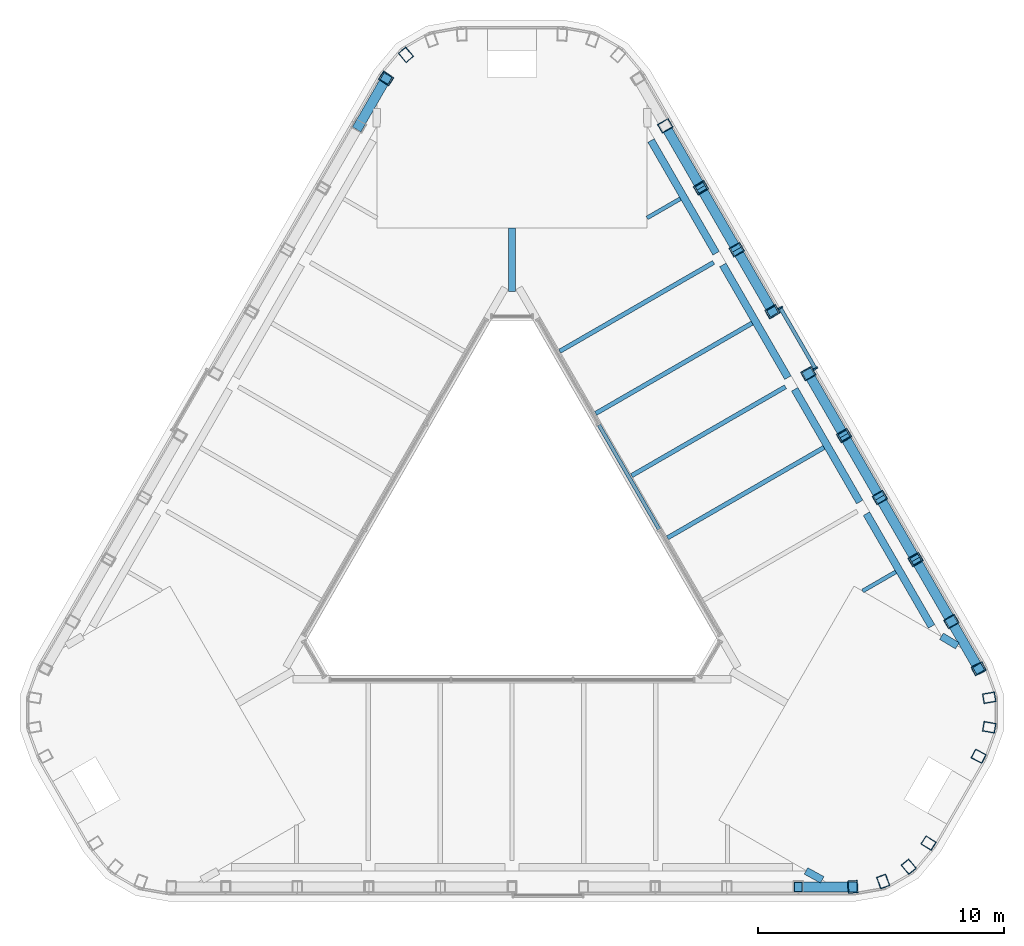
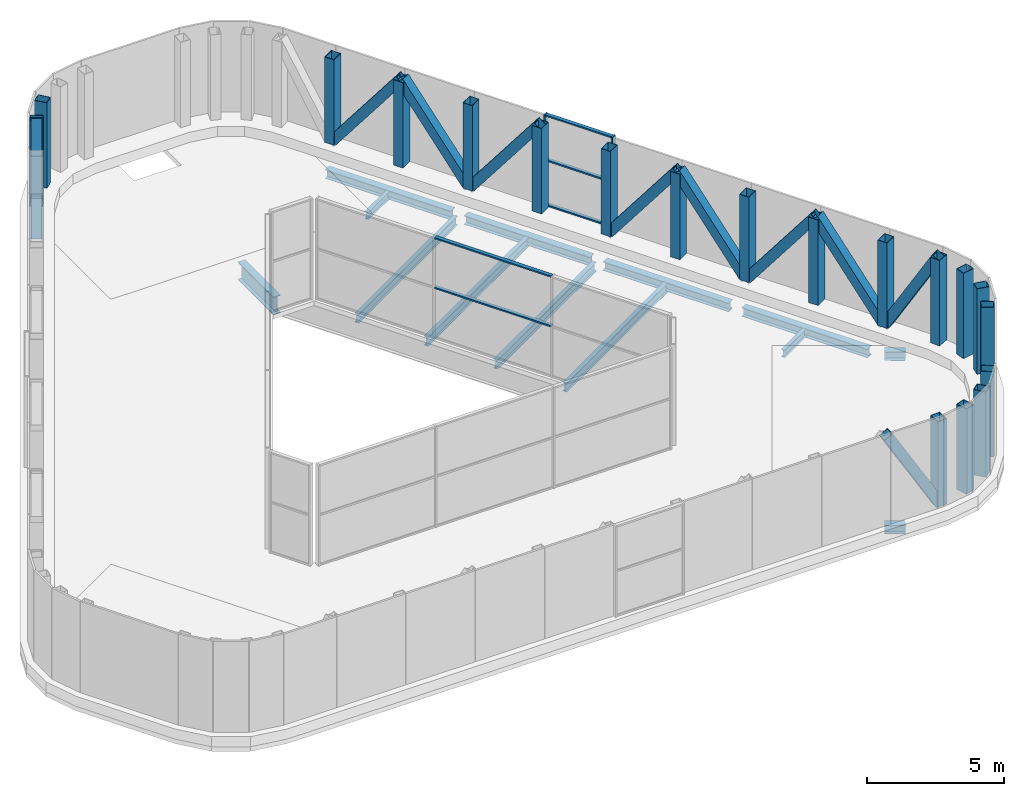
# One storey, part 3 of 5: 36 members, 13 beams, 2 elements without a shape of their own.
"""IFC4 building model written with IfcOpenShell, lengths in metres."""

from ifc_helpers import new_model, si_unit, direction, frame, origin, origin_2d, place, context, subcontext, project, spatial, rectangle, hollow_rectangle, i_section, extrude, material, layer, layer_set, material_profile, profile_set, type_object, element, aggregate, save


model = new_model("IFC4")

# Units and contexts
model_context = context("Model", 3, precision=1e-05, world=origin(), true_north=direction((0.0, 1.0)))
body_context = subcontext(model_context, "Body", "Model", "MODEL_VIEW")
ifc_project = project(units=[si_unit("LENGTHUNIT", "METRE"), si_unit("AREAUNIT", "SQUARE_METRE"), si_unit("VOLUMEUNIT", "CUBIC_METRE"), si_unit("PLANEANGLEUNIT", "RADIAN"), si_unit("MASSUNIT", "GRAM", prefix="KILO")], contexts=[model_context])

# Site, building, storey
site_placement = place(None, origin())
site = spatial("IfcSite", under=ifc_project, at=site_placement, CompositionType="ELEMENT")
building_placement = place(site_placement, origin())
building = spatial("IfcBuilding", under=site, at=building_placement, Name="Apuvela Tower Hotel", CompositionType="ELEMENT")
storey_placement = place(building_placement, frame((0.0, 0.0, 348.800048828125)))
storey = spatial("IfcBuildingStorey", under=building, at=storey_placement, Name="R-2 ROOF", CompositionType="ELEMENT", Elevation=348.800048828125)

# Members
ifc_material_1 = material(Name="Steel S355, black paint system", Category="steel")
ifc_material_profile_1 = material_profile(ifc_material_1, hollow_rectangle(XDim=0.39990234375, YDim=0.39990234375, WallThickness=0.01611328125, at=origin_2d()), Name="HSS 400x400x16")
ifc_profile_set_1 = profile_set([ifc_material_profile_1], Name="Steel S355, black paint system")
member_type_1 = type_object("IfcMemberType", Name="ENV-CROWN-BRACE-400x400", PredefinedType="BRACE", material=ifc_profile_set_1)
for number, where, z_axis, x_axis, name in (
    (1, (-6.236572265625, 17.050537109375, 0.449951171875), (0.252533890551, 0.437303965939, 0.863129118671), (-0.865977099567, 0.500083656027, 0.0), "Crown frame brace 7"),
    (2, (13.87109375, -13.92626953125, 0.449951171875), (-0.504963610752, 0.0, 0.863140632699), (0.0, -1.0, 0.0), "Crown frame brace 33"),
    (3, (17.884521484375, -3.124267578125, 0.449951171875), (0.252475849693, -0.437354936642, 0.863120272452), (0.866052104262, 0.499953750565, 0.0), "Crown frame brace 41"),
):
    element("IfcMember", number, at=place(storey_placement, frame(where, z_axis=z_axis, x_axis=x_axis)), inside=storey, type_object=member_type_1, Name=name, PredefinedType="BRACE", context=body_context, shape_type="SweptSolid", body=[
        extrude(hollow_rectangle(XDim=0.39990234375, YDim=0.39990234375, WallThickness=0.01611328125, at=origin_2d()), origin(), (0.0, 0.0, 1.0), 4.402587890625),
    ])
member_1_placement = place(storey_placement, frame((17.884521484375, -3.124267578125, 0.449951171875), z_axis=(-0.304132395896, 0.526775259827, 0.7937325188), x_axis=(-0.866026430432, -0.49999822179, 0.0)))
element("IfcMember", 4, at=member_1_placement, inside=storey, type_object=member_type_1, Name="Crown frame brace 42", PredefinedType="BRACE", context=body_context, shape_type="SweptSolid", body=[
    extrude(hollow_rectangle(XDim=0.39990234375, YDim=0.39990234375, WallThickness=0.01611328125, at=origin_2d()), origin(), (0.0, 0.0, 1.0), 4.78759765625),
])
for number, where, z_axis, x_axis, name in (
    (5, (14.972412109375, 1.91943359375, 0.449951171875), (0.304140565661, -0.526738414272, 0.793753840463), (0.866005469285, 0.500034525977, 0.0), "Crown frame brace 43"),
    (6, (14.972412109375, 1.91943359375, 0.449951171875), (-0.304140565661, 0.526738414272, 0.793753840463), (-0.866005469285, -0.500034525977, 0.0), "Crown frame brace 44"),
):
    element("IfcMember", number, at=place(storey_placement, frame(where, z_axis=z_axis, x_axis=x_axis)), inside=storey, type_object=member_type_1, Name=name, PredefinedType="BRACE", context=body_context, shape_type="SweptSolid", body=[
        extrude(hollow_rectangle(XDim=0.39990234375, YDim=0.39990234375, WallThickness=0.01611328125, at=origin_2d()), origin(), (0.0, 0.0, 1.0), 4.787353515625),
    ])
member_2_placement = place(storey_placement, frame((12.060302734375, 6.963134765625, 0.449951171875), z_axis=(0.304132395896, -0.526775259827, 0.7937325188), x_axis=(0.866026430432, 0.49999822179, 0.0)))
element("IfcMember", 7, at=member_2_placement, inside=storey, type_object=member_type_1, Name="Crown frame brace 45", PredefinedType="BRACE", context=body_context, shape_type="SweptSolid", body=[
    extrude(hollow_rectangle(XDim=0.39990234375, YDim=0.39990234375, WallThickness=0.01611328125, at=origin_2d()), origin(), (0.0, 0.0, 1.0), 4.78759765625),
])
for number, where, z_axis, x_axis, name in (
    (8, (9.1484375, 12.0068359375, 0.449951171875), (0.304140565661, -0.526738414272, 0.793753840463), (0.866005469285, 0.500034525977, 0.0), "Crown frame brace 47"),
    (9, (9.1484375, 12.0068359375, 0.449951171875), (-0.304140565661, 0.526738414272, 0.793753840463), (-0.866005469285, -0.500034525977, 0.0), "Crown frame brace 48"),
):
    element("IfcMember", number, at=place(storey_placement, frame(where, z_axis=z_axis, x_axis=x_axis)), inside=storey, type_object=member_type_1, Name=name, PredefinedType="BRACE", context=body_context, shape_type="SweptSolid", body=[
        extrude(hollow_rectangle(XDim=0.39990234375, YDim=0.39990234375, WallThickness=0.01611328125, at=origin_2d()), origin(), (0.0, 0.0, 1.0), 4.787353515625),
    ])
member_3_placement = place(storey_placement, frame((6.236572265625, 17.050537109375, 0.449951171875), z_axis=(0.304086116951, -0.526783429164, 0.793744828164), x_axis=(0.866062731661, 0.499935340648, 0.0)))
element("IfcMember", 10, at=member_3_placement, inside=storey, type_object=member_type_1, Name="Crown frame brace 49", PredefinedType="BRACE", context=body_context, shape_type="SweptSolid", body=[
    extrude(hollow_rectangle(XDim=0.39990234375, YDim=0.39990234375, WallThickness=0.01611328125, at=origin_2d()), origin(), (0.0, 0.0, 1.0), 4.78759765625),
])
ifc_material_profile_2 = material_profile(ifc_material_1, hollow_rectangle(XDim=0.39990234375, YDim=0.5, WallThickness=0.02001953125, at=origin_2d()), Name="HSS 500x400x20")
ifc_profile_set_2 = profile_set([ifc_material_profile_2], Name="Steel S355, black paint system")
member_type_2 = type_object("IfcMemberType", Name="ENV-CROWN-POST-500x400", PredefinedType="POST", material=ifc_profile_set_2)
for number, where, z_axis, x_axis, name in (
    (11, (-4.318115234375, 19.9375, 0.449951171875), (0.0, 0.0, 1.0), (-0.763579690807, -0.645713601984, 0.0), "Crown frame post 6"),
    (12, (-5.124755859375, 18.975830078125, 0.449951171875), (0.0, 0.0, 1.0), (-0.553467140498, -0.832871013056, 0.0), "Crown frame post 7"),
    (13, (13.87109375, -13.92626953125, 0.449951171875), (0.0, 0.0, 1.0), (0.998021025631, 0.062881097303, 0.0), "Crown frame post 34"),
    (14, (15.107421875, -13.708251953125, 0.449951171875), (0.0, 0.0, 1.0), (0.940994228291, 0.33842260906, 0.0), "Crown frame post 35"),
    (15, (16.148193359375, -13.107421875, 0.449951171875), (0.0, 0.0, 1.0), (0.763579690807, 0.645713601984, 0.0), "Crown frame post 36"),
    (16, (16.955078125, -12.145751953125, 0.449951171875), (0.0, 0.0, 1.0), (0.535045541825, 0.844823217113, 0.0), "Crown frame post 37"),
    (17, (18.99609375, -8.610595703125, 0.449951171875), (0.0, 0.0, 1.0), (0.464115596815, 0.885774639958, 0.0), "Crown frame post 38"),
    (18, (19.42529296875, -7.43115234375, 0.449951171875), (0.0, 0.0, 1.0), (0.177414537484, 0.984136211045, 0.0), "Crown frame post 39"),
    (19, (19.42529296875, -6.229248046875, 0.449951171875), (0.0, 0.0, 1.0), (-0.177414537484, 0.984136211045, 0.0), "Crown frame post 40"),
    (20, (18.99609375, -5.0498046875, 0.449951171875), (0.0, 0.0, 1.0), (-0.444553885133, 0.895752110359, 0.0), "Crown frame post 41"),
    (21, (17.884521484375, -3.124267578125, 0.449951171875), (0.0, 0.0, 1.0), (-0.5, 0.866025403784, 0.0), "Crown frame post 42"),
    (22, (16.428466796875, -0.602294921875, 0.449951171875), (0.0, 0.0, 1.0), (-0.5, 0.866025403784, 0.0), "Crown frame post 43"),
    (23, (14.972412109375, 1.91943359375, 0.449951171875), (0.0, 0.0, 1.0), (-0.5, 0.866025403784, 0.0), "Crown frame post 44"),
    (24, (13.516357421875, 4.441162109375, 0.449951171875), (0.0, 0.0, 1.0), (-0.5, 0.866025403784, 0.0), "Crown frame post 45"),
    (25, (12.060302734375, 6.963134765625, 0.449951171875), (0.0, 0.0, 1.0), (-0.5, 0.866025403784, 0.0), "Crown frame post 46"),
    (26, (10.6044921875, 9.485107421875, 0.449951171875), (0.0, 0.0, 1.0), (-0.5, 0.866025403784, 0.0), "Crown frame post 47"),
    (27, (9.1484375, 12.0068359375, 0.449951171875), (0.0, 0.0, 1.0), (-0.5, 0.866025403784, 0.0), "Crown frame post 48"),
    (28, (7.6923828125, 14.528564453125, 0.449951171875), (0.0, 0.0, 1.0), (-0.5, 0.866025403784, 0.0), "Crown frame post 49"),
    (29, (6.236572265625, 17.050537109375, 0.449951171875), (0.0, 0.0, 1.0), (-0.5, 0.866025403784, 0.0), "Crown frame post 50"),
):
    element("IfcMember", number, at=place(storey_placement, frame(where, z_axis=z_axis, x_axis=x_axis)), inside=storey, type_object=member_type_2, Name=name, PredefinedType="POST", context=body_context, shape_type="SweptSolid", body=[
        extrude(hollow_rectangle(XDim=0.39990234375, YDim=0.5, WallThickness=0.02001953125, at=origin_2d()), origin(), (0.0, 0.0, 1.0), 3.800048828125),
    ])

# Curtain wall, members
ifc_material_2 = material(Name="Aluminium 6063-T6, dark bronze anodised", Category="aluminium")
ifc_layer_1 = layer(ifc_material_2, 0.199951171875)
ifc_layer_set_1 = layer_set([ifc_layer_1], Name="ENV-CW-C")
curtain_wall_type_1 = type_object("IfcCurtainWallType", Name="ENV-CW-C", PredefinedType="NOTDEFINED", material=ifc_layer_set_1)
curtain_wall_1_placement = place(storey_placement, origin())
curtain_wall_1 = element("IfcCurtainWall", 30, at=curtain_wall_1_placement, inside=storey, type_object=curtain_wall_type_1, Name="Crown glazing 46 R-2 ROOF", PredefinedType="NOTDEFINED")
ifc_material_profile_3 = material_profile(ifc_material_2, rectangle(XDim=0.199951171875, YDim=0.06494140625, at=origin_2d()), Name="AL 65x200")
ifc_profile_set_3 = profile_set([ifc_material_profile_3], Name="Aluminium 6063-T6, dark bronze anodised")
member_type_3 = type_object("IfcMemberType", Name="ENV-MULLION-65x200", PredefinedType="MULLION", material=ifc_profile_set_3)
member_4_placement = place(storey_placement, frame((12.347412109375, 7.166259765625, 0.449951171875), z_axis=(0.0, 0.0, 1.0), x_axis=(-0.866021760657, -0.500006310028, 0.0)))
member_4 = element("IfcMember", 31, at=member_4_placement, type_object=member_type_3, Name="CW-C mullion 1", PredefinedType="MULLION", context=body_context, shape_type="SweptSolid", body=[
    extrude(rectangle(XDim=0.199951171875, YDim=0.06494140625, at=origin_2d()), origin(), (0.0, 0.0, 1.0), 4.050048828125),
])
member_5_placement = place(storey_placement, frame((10.921142578125, 9.636474609375, 0.449951171875), z_axis=(0.0, 0.0, 1.0), x_axis=(-0.866021760657, -0.500006310028, 0.0)))
member_5 = element("IfcMember", 32, at=member_5_placement, type_object=member_type_3, Name="CW-C mullion 2", PredefinedType="MULLION", context=body_context, shape_type="SweptSolid", body=[
    extrude(rectangle(XDim=0.199951171875, YDim=0.06494140625, at=origin_2d()), origin(), (0.0, 0.0, 1.0), 4.050048828125),
])
ifc_material_profile_4 = material_profile(ifc_material_2, rectangle(XDim=0.14990234375, YDim=0.06494140625, at=origin_2d()), Name="AL 65x150 transom")
ifc_profile_set_4 = profile_set([ifc_material_profile_4], Name="Aluminium 6063-T6, dark bronze anodised")
member_type_4 = type_object("IfcMemberType", Name="ENV-TRANSOM-65x150", PredefinedType="USERDEFINED", material=ifc_profile_set_4)
member_6_placement = place(storey_placement, frame((12.3310546875, 7.1943359375, 0.482421875), z_axis=(-0.499944854726, 0.866057239582, 0.0), x_axis=(-0.866057239582, -0.499944854726, 0.0)))
member_6 = element("IfcMember", 33, at=member_6_placement, type_object=member_type_4, Name="CW-C transom 1.1", ObjectType="TRANSOM", PredefinedType="USERDEFINED", context=body_context, shape_type="SweptSolid", body=[
    extrude(rectangle(XDim=0.14990234375, YDim=0.06494140625, at=origin_2d()), origin(), (0.0, 0.0, 1.0), 2.787353515625),
])
member_7_placement = place(storey_placement, frame((12.3310546875, 7.1943359375, 2.474853515625), z_axis=(-0.499944854726, 0.866057239582, 0.0), x_axis=(-0.866057239582, -0.499944854726, 0.0)))
member_7 = element("IfcMember", 34, at=member_7_placement, type_object=member_type_4, Name="CW-C transom 1.2", ObjectType="TRANSOM", PredefinedType="USERDEFINED", context=body_context, shape_type="SweptSolid", body=[
    extrude(rectangle(XDim=0.14990234375, YDim=0.06494140625, at=origin_2d()), origin(), (0.0, 0.0, 1.0), 2.787353515625),
])
member_8_placement = place(storey_placement, frame((12.3310546875, 7.1943359375, 4.467529296875), z_axis=(-0.499944854726, 0.866057239582, 0.0), x_axis=(-0.866057239582, -0.499944854726, 0.0)))
member_8 = element("IfcMember", 35, at=member_8_placement, type_object=member_type_4, Name="CW-C transom 1.3", ObjectType="TRANSOM", PredefinedType="USERDEFINED", context=body_context, shape_type="SweptSolid", body=[
    extrude(rectangle(XDim=0.14990234375, YDim=0.06494140625, at=origin_2d()), origin(), (0.0, 0.0, 1.0), 2.787353515625),
])
aggregate(curtain_wall_1, [member_4, member_5, member_6, member_7, member_8])

ifc_layer_2 = layer(ifc_material_2, 0.199951171875)
ifc_layer_set_2 = layer_set([ifc_layer_2], Name="ENV-CW-A")
curtain_wall_type_2 = type_object("IfcCurtainWallType", Name="ENV-CW-A", PredefinedType="NOTDEFINED", material=ifc_layer_set_2)
curtain_wall_2_placement = place(storey_placement, origin())
curtain_wall_2 = element("IfcCurtainWall", 36, at=curtain_wall_2_placement, inside=storey, type_object=curtain_wall_type_2, Name="Atrium glazing 6 R-2 ROOF", PredefinedType="NOTDEFINED")
member_9_placement = place(storey_placement, frame((5.988037109375, 0.628173828125, 2.25), z_axis=(-0.49998122708, 0.866036242063, 0.0), x_axis=(-0.866036242063, -0.49998122708, 0.0)))
member_9 = element("IfcMember", 37, at=member_9_placement, type_object=member_type_4, Name="CW-A transom 2.2", ObjectType="TRANSOM", PredefinedType="USERDEFINED", context=body_context, shape_type="SweptSolid", body=[
    extrude(rectangle(XDim=0.14990234375, YDim=0.06494140625, at=origin_2d()), origin(), (0.0, 0.0, 1.0), 4.900146484375),
])
member_10_placement = place(storey_placement, frame((5.988037109375, 0.628173828125, 4.467529296875), z_axis=(-0.49998122708, 0.866036242063, 0.0), x_axis=(-0.866036242063, -0.49998122708, 0.0)))
member_10 = element("IfcMember", 38, at=member_10_placement, type_object=member_type_4, Name="CW-A transom 2.3", ObjectType="TRANSOM", PredefinedType="USERDEFINED", context=body_context, shape_type="SweptSolid", body=[
    extrude(rectangle(XDim=0.14990234375, YDim=0.06494140625, at=origin_2d()), origin(), (0.0, 0.0, 1.0), 4.900146484375),
])
aggregate(curtain_wall_2, [member_9, member_10])

# Beams
ifc_material_3 = material(Name="Steel S355", Category="steel")
ifc_material_profile_5 = material_profile(ifc_material_3, i_section(OverallWidth=0.159912109375, OverallDepth=0.330078125, WebThickness=0.007568359375, FlangeThickness=0.011474609375, at=origin_2d()), Name="IPE 330")
ifc_profile_set_5 = profile_set([ifc_material_profile_5], Name="Steel S355")
beam_type_1 = type_object("IfcBeamType", Name="STR-B floor beam IPE 330", PredefinedType="BEAM", material=ifc_profile_set_5)
for number, where, z_axis, x_axis, name in (
    (39, (15.622314453125, -1.106201171875, -0.364990234375), (-0.866042488821, -0.49997040668, 0.0), (0.49997040668, -0.866042488821, 0.0), "Floor beam B1 NE2"),
    (40, (6.853271484375, 14.082275390625, -0.364990234375), (-0.866042488821, -0.49997040668, 0.0), (0.49997040668, -0.866042488821, 0.0), "Floor beam B1 NE8"),
):
    element("IfcBeam", number, at=place(storey_placement, frame(where, z_axis=z_axis, x_axis=x_axis)), inside=storey, type_object=beam_type_1, Name=name, PredefinedType="BEAM", context=body_context, shape_type="SweptSolid", body=[
        extrude(i_section(OverallWidth=0.159912109375, OverallDepth=0.330078125, WebThickness=0.007568359375, FlangeThickness=0.011474609375, at=origin_2d()), origin(), (0.0, 0.0, 1.0), 1.5625),
    ])
ifc_material_profile_6 = material_profile(ifc_material_3, i_section(OverallWidth=0.179931640625, OverallDepth=0.39990234375, WebThickness=0.008544921875, FlangeThickness=0.013427734375, at=origin_2d()), Name="IPE 400")
ifc_profile_set_6 = profile_set([ifc_material_profile_6], Name="Steel S355")
beam_type_2 = type_object("IfcBeamType", Name="STR-B floor beam IPE 400", PredefinedType="BEAM", material=ifc_profile_set_6)
beam_1_placement = place(storey_placement, frame((12.69921875, 3.956787109375, -0.400146484375), z_axis=(-0.866016463813, -0.500015484165, 0.0), x_axis=(0.500015484165, -0.866016463813, 0.0)))
element("IfcBeam", 41, at=beam_1_placement, inside=storey, type_object=beam_type_2, Name="Floor beam B2 NE4", PredefinedType="BEAM", context=body_context, shape_type="SweptSolid", body=[
    extrude(i_section(OverallWidth=0.179931640625, OverallDepth=0.39990234375, WebThickness=0.008544921875, FlangeThickness=0.013427734375, at=origin_2d()), origin(), (0.0, 0.0, 1.0), 7.356201171875),
])
beam_2_placement = place(storey_placement, frame((11.12939453125, 6.425537109375, -0.400146484375), z_axis=(-0.866025906777, -0.49999912879, 0.0), x_axis=(0.49999912879, -0.866025906777, 0.0)))
element("IfcBeam", 42, at=beam_2_placement, inside=storey, type_object=beam_type_2, Name="Floor beam B2 NE5", PredefinedType="BEAM", context=body_context, shape_type="SweptSolid", body=[
    extrude(i_section(OverallWidth=0.179931640625, OverallDepth=0.39990234375, WebThickness=0.008544921875, FlangeThickness=0.013427734375, at=origin_2d()), origin(), (0.0, 0.0, 1.0), 7.23095703125),
])
beam_3_placement = place(storey_placement, frame((9.776123046875, 9.01953125, -0.400146484375), z_axis=(-0.866016463813, -0.500015484165, 0.0), x_axis=(0.500015484165, -0.866016463813, 0.0)))
element("IfcBeam", 43, at=beam_3_placement, inside=storey, type_object=beam_type_2, Name="Floor beam B2 NE6", PredefinedType="BEAM", context=body_context, shape_type="SweptSolid", body=[
    extrude(i_section(OverallWidth=0.179931640625, OverallDepth=0.39990234375, WebThickness=0.008544921875, FlangeThickness=0.013427734375, at=origin_2d()), origin(), (0.0, 0.0, 1.0), 7.356201171875),
])
beam_4_placement = place(storey_placement, frame((8.20654296875, 11.48828125, -0.400146484375), z_axis=(-0.866034347176, -0.499984509272, 0.0), x_axis=(0.499984509272, -0.866034347176, 0.0)))
element("IfcBeam", 44, at=beam_4_placement, inside=storey, type_object=beam_type_2, Name="Floor beam B2 NE7", PredefinedType="BEAM", context=body_context, shape_type="SweptSolid", body=[
    extrude(i_section(OverallWidth=0.179931640625, OverallDepth=0.39990234375, WebThickness=0.008544921875, FlangeThickness=0.013427734375, at=origin_2d()), origin(), (0.0, 0.0, 1.0), 7.231201171875),
])
ifc_material_profile_7 = material_profile(ifc_material_3, i_section(OverallWidth=0.300048828125, OverallDepth=0.800048828125, WebThickness=0.017578125, FlangeThickness=0.032958984375, at=origin_2d()), Name="HE 800 B")
ifc_profile_set_7 = profile_set([ifc_material_profile_7], Name="Steel S355")
beam_type_3 = type_object("IfcBeamType", Name="STR-GT core tie beam HE 800 B", PredefinedType="BEAM", material=ifc_profile_set_7)
beam_5_placement = place(storey_placement, frame((0.0, 12.89990234375, -0.60009765625), z_axis=(0.0, -1.0, 0.0), x_axis=(1.0, 0.0, 0.0)))
element("IfcBeam", 45, at=beam_5_placement, inside=storey, type_object=beam_type_3, Name="Core tie beam GT1 N", PredefinedType="BEAM", context=body_context, shape_type="SweptSolid", body=[
    extrude(i_section(OverallWidth=0.300048828125, OverallDepth=0.800048828125, WebThickness=0.017578125, FlangeThickness=0.032958984375, at=origin_2d()), origin(), (0.0, 0.0, 1.0), 2.599853515625),
])
ifc_material_profile_8 = material_profile(ifc_material_3, i_section(OverallWidth=0.300048828125, OverallDepth=0.389892578125, WebThickness=0.010986328125, FlangeThickness=0.01904296875, at=origin_2d()), Name="HE 400 A")
ifc_profile_set_8 = profile_set([ifc_material_profile_8], Name="Steel S355")
beam_type_4 = type_object("IfcBeamType", Name="STR-SB spandrel beam HE 400 A", PredefinedType="SPANDREL", material=ifc_profile_set_8)
beam_6_placement = place(storey_placement, frame((17.076171875, -3.32421875, -0.39501953125), z_axis=(-0.500031041629, 0.86600748115, 0.0), x_axis=(-0.86600748115, -0.500031041629, 0.0)))
element("IfcBeam", 46, at=beam_6_placement, inside=storey, type_object=beam_type_4, Name="Spandrel beam SB4 NE1", PredefinedType="SPANDREL", context=body_context, shape_type="SweptSolid", body=[
    extrude(i_section(OverallWidth=0.300048828125, OverallDepth=0.389892578125, WebThickness=0.010986328125, FlangeThickness=0.01904296875, at=origin_2d()), origin(), (0.0, 0.0, 1.0), 5.296142578125),
])
for number, where, z_axis, x_axis, name in (
    (47, (14.153076171875, 1.738525390625, -0.39501953125), (-0.499996467947, 0.866027443007, 0.0), (-0.866027443007, -0.499996467947, 0.0), "Spandrel beam SB4 NE2"),
    (48, (11.22998046875, 6.80126953125, -0.39501953125), (-0.499996467947, 0.866027443007, 0.0), (-0.866027443007, -0.499996467947, 0.0), "Spandrel beam SB4 NE3"),
    (49, (8.30712890625, 11.864013671875, -0.39501953125), (-0.499996467947, 0.866027443007, 0.0), (-0.866027443007, -0.499996467947, 0.0), "Spandrel beam SB4 NE4"),
):
    element("IfcBeam", number, at=place(storey_placement, frame(where, z_axis=z_axis, x_axis=x_axis)), inside=storey, type_object=beam_type_4, Name=name, PredefinedType="SPANDREL", context=body_context, shape_type="SweptSolid", body=[
        extrude(i_section(OverallWidth=0.300048828125, OverallDepth=0.389892578125, WebThickness=0.010986328125, FlangeThickness=0.01904296875, at=origin_2d()), origin(), (0.0, 0.0, 1.0), 5.2958984375),
    ])
for number, where, z_axis, x_axis, name in (
    (50, (11.967041015625, -13.277587890625, -0.39501953125), (0.875908078842, -0.482478017551, 0.0), (0.482478017551, 0.875908078842, 0.0), "Spandrel beam SB4 S5-SE"),
    (51, (17.482421875, -3.724853515625, -0.39501953125), (0.855658607708, -0.517540671884, 0.0), (0.517540671884, 0.855658607708, 0.0), "Spandrel beam SB4 NE1-SE"),
):
    element("IfcBeam", number, at=place(storey_placement, frame(where, z_axis=z_axis, x_axis=x_axis)), inside=storey, type_object=beam_type_4, Name=name, PredefinedType="SPANDREL", context=body_context, shape_type="SweptSolid", body=[
        extrude(i_section(OverallWidth=0.300048828125, OverallDepth=0.389892578125, WebThickness=0.010986328125, FlangeThickness=0.01904296875, at=origin_2d()), origin(), (0.0, 0.0, 1.0), 0.75390625),
    ])

save(model, "model.ifc")
